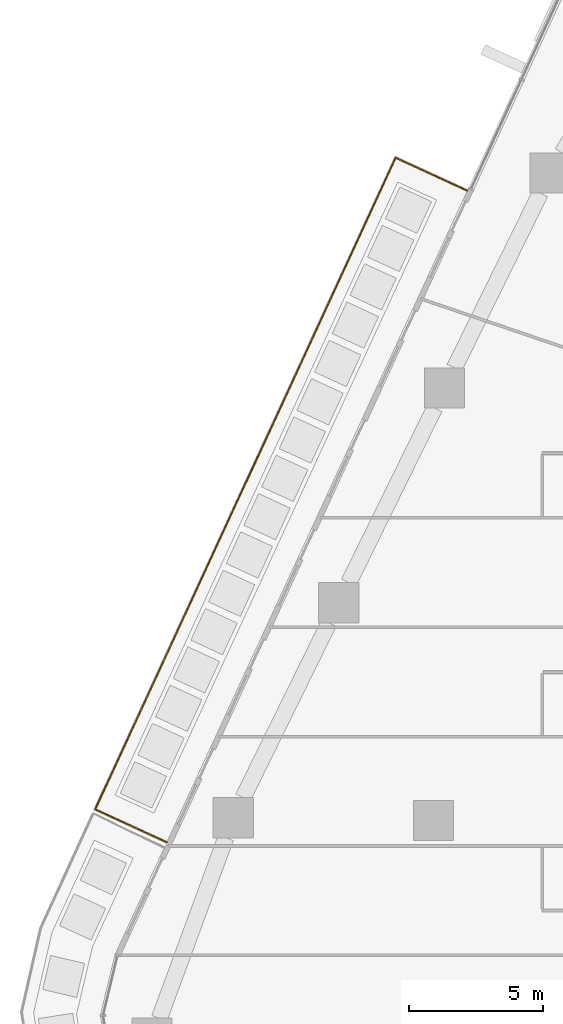
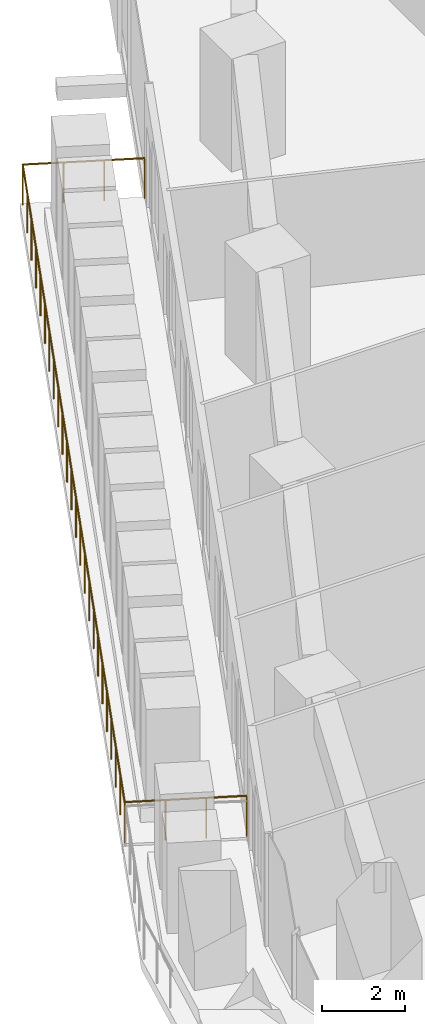
# One storey, part 25 of 27: 1 railing.
"""IFC4 building model written with IfcOpenShell, lengths in metres."""

from ifc_helpers import new_model, si_unit, direction, frame, origin, origin_2d, place, context, subcontext, project, spatial, circle, extrude, material, type_object, element, save


model = new_model("IFC4")

# Units and contexts
model_context = context("Model", 3, precision=1e-05, world=origin(), true_north=direction((0.0, 1.0)))
body_context = subcontext(model_context, "Body", "Model", "MODEL_VIEW")
ifc_project = project(units=[si_unit("LENGTHUNIT", "METRE"), si_unit("AREAUNIT", "SQUARE_METRE"), si_unit("VOLUMEUNIT", "CUBIC_METRE"), si_unit("PLANEANGLEUNIT", "RADIAN"), si_unit("MASSUNIT", "GRAM", prefix="KILO")], contexts=[model_context])

# Site, building, storey
site_placement = place(None, origin())
site = spatial("IfcSite", under=ifc_project, at=site_placement, CompositionType="ELEMENT")
building_placement = place(site_placement, origin())
building = spatial("IfcBuilding", under=site, at=building_placement, Name="Dongbaek Canopy Tower", CompositionType="ELEMENT")
storey_placement = place(building_placement, frame((0.0, 0.0, 58.800048828125)))
storey = spatial("IfcBuildingStorey", under=building, at=storey_placement, Name="L10", CompositionType="ELEMENT", Elevation=58.800048828125)

# Railing
ifc_material = material(Name="Stainless steel", Category="steel")
railing_type = type_object("IfcRailingType", Name="Balcony balustrade 1200", PredefinedType="BALUSTRADE", material=ifc_material)
railing_placement = place(storey_placement, frame((-25.738037109375, 23.466064453125, 0.0)))
element("IfcRailing", 1, at=railing_placement, inside=storey, type_object=railing_type, Name="Balcony guard L10 3", PredefinedType="BALUSTRADE", context=body_context, shape_type="SweptSolid", body=[
    extrude(circle(Radius=0.02392578125, at=origin_2d()), frame((0.0, 0.0, 1.17578125), z_axis=(-0.90805172008, 0.418858059084, 0.0), x_axis=(-0.418858059084, -0.90805172008, 0.0)), (0.0, 0.0, 1.0), 2.93994140625),
    extrude(circle(Radius=0.02392578125, at=origin_2d()), frame((-2.669677734375, 1.2314453125, 1.17578125), z_axis=(-0.418811507548, -0.908073191513, 0.0), x_axis=(0.908073191513, -0.418811507548, 0.0)), (0.0, 0.0, 1.0), 26.7392578125),
    extrude(circle(Radius=0.02392578125, at=origin_2d()), frame((-13.868408203125, -23.0498046875, 1.17578125), z_axis=(0.90805172008, -0.418858059084, 0.0), x_axis=(0.418858059084, 0.90805172008, 0.0)), (0.0, 0.0, 1.0), 2.93994140625),
    extrude(circle(Radius=0.02099609375, at=origin_2d()), origin(), (0.0, 0.0, 1.0), 1.15185546875),
    extrude(circle(Radius=0.02099609375, at=origin_2d()), frame((-0.889892578125, 0.410400390625, 0.0)), (0.0, 0.0, 1.0), 1.15185546875),
    extrude(circle(Radius=0.02099609375, at=origin_2d()), frame((-1.77978515625, 0.821044921875, 0.0)), (0.0, 0.0, 1.0), 1.15185546875),
    extrude(circle(Radius=0.02099609375, at=origin_2d()), frame((-2.669677734375, 1.2314453125, 0.0)), (0.0, 0.0, 1.0), 1.15185546875),
    extrude(circle(Radius=0.02099609375, at=origin_2d()), frame((-3.156494140625, 0.17578125, 0.0)), (0.0, 0.0, 1.0), 1.15185546875),
    extrude(circle(Radius=0.02099609375, at=origin_2d()), frame((-3.6435546875, -0.8798828125, 0.0)), (0.0, 0.0, 1.0), 1.15185546875),
    extrude(circle(Radius=0.02099609375, at=origin_2d()), frame((-4.13037109375, -1.935791015625, 0.0)), (0.0, 0.0, 1.0), 1.15185546875),
    extrude(circle(Radius=0.02099609375, at=origin_2d()), frame((-4.6171875, -2.991455078125, 0.0)), (0.0, 0.0, 1.0), 1.15185546875),
    extrude(circle(Radius=0.02099609375, at=origin_2d()), frame((-5.104248046875, -4.047119140625, 0.0)), (0.0, 0.0, 1.0), 1.15185546875),
    extrude(circle(Radius=0.02099609375, at=origin_2d()), frame((-5.591064453125, -5.102783203125, 0.0)), (0.0, 0.0, 1.0), 1.15185546875),
    extrude(circle(Radius=0.02099609375, at=origin_2d()), frame((-6.077880859375, -6.158447265625, 0.0)), (0.0, 0.0, 1.0), 1.15185546875),
    extrude(circle(Radius=0.02099609375, at=origin_2d()), frame((-6.56494140625, -7.214111328125, 0.0)), (0.0, 0.0, 1.0), 1.15185546875),
    extrude(circle(Radius=0.02099609375, at=origin_2d()), frame((-7.0517578125, -8.27001953125, 0.0)), (0.0, 0.0, 1.0), 1.15185546875),
    extrude(circle(Radius=0.02099609375, at=origin_2d()), frame((-7.53857421875, -9.32568359375, 0.0)), (0.0, 0.0, 1.0), 1.15185546875),
    extrude(circle(Radius=0.02099609375, at=origin_2d()), frame((-8.025634765625, -10.38134765625, 0.0)), (0.0, 0.0, 1.0), 1.15185546875),
    extrude(circle(Radius=0.02099609375, at=origin_2d()), frame((-8.512451171875, -11.43701171875, 0.0)), (0.0, 0.0, 1.0), 1.15185546875),
    extrude(circle(Radius=0.02099609375, at=origin_2d()), frame((-8.99951171875, -12.49267578125, 0.0)), (0.0, 0.0, 1.0), 1.15185546875),
    extrude(circle(Radius=0.02099609375, at=origin_2d()), frame((-9.486328125, -13.54833984375, 0.0)), (0.0, 0.0, 1.0), 1.15185546875),
    extrude(circle(Radius=0.02099609375, at=origin_2d()), frame((-9.97314453125, -14.604248046875, 0.0)), (0.0, 0.0, 1.0), 1.15185546875),
    extrude(circle(Radius=0.02099609375, at=origin_2d()), frame((-10.460205078125, -15.659912109375, 0.0)), (0.0, 0.0, 1.0), 1.15185546875),
    extrude(circle(Radius=0.02099609375, at=origin_2d()), frame((-10.947021484375, -16.715576171875, 0.0)), (0.0, 0.0, 1.0), 1.15185546875),
    extrude(circle(Radius=0.02099609375, at=origin_2d()), frame((-11.433837890625, -17.771240234375, 0.0)), (0.0, 0.0, 1.0), 1.15185546875),
    extrude(circle(Radius=0.02099609375, at=origin_2d()), frame((-11.9208984375, -18.826904296875, 0.0)), (0.0, 0.0, 1.0), 1.15185546875),
    extrude(circle(Radius=0.02099609375, at=origin_2d()), frame((-12.40771484375, -19.882568359375, 0.0)), (0.0, 0.0, 1.0), 1.15185546875),
    extrude(circle(Radius=0.02099609375, at=origin_2d()), frame((-12.89453125, -20.9384765625, 0.0)), (0.0, 0.0, 1.0), 1.15185546875),
    extrude(circle(Radius=0.02099609375, at=origin_2d()), frame((-13.381591796875, -21.994140625, 0.0)), (0.0, 0.0, 1.0), 1.15185546875),
    extrude(circle(Radius=0.02099609375, at=origin_2d()), frame((-13.868408203125, -23.0498046875, 0.0)), (0.0, 0.0, 1.0), 1.15185546875),
    extrude(circle(Radius=0.02099609375, at=origin_2d()), frame((-12.978515625, -23.460205078125, 0.0)), (0.0, 0.0, 1.0), 1.15185546875),
    extrude(circle(Radius=0.02099609375, at=origin_2d()), frame((-12.088623046875, -23.870849609375, 0.0)), (0.0, 0.0, 1.0), 1.15185546875),
    extrude(circle(Radius=0.02099609375, at=origin_2d()), frame((-11.19873046875, -24.28125, 0.0)), (0.0, 0.0, 1.0), 1.15185546875),
])

save(model, "model.ifc")
